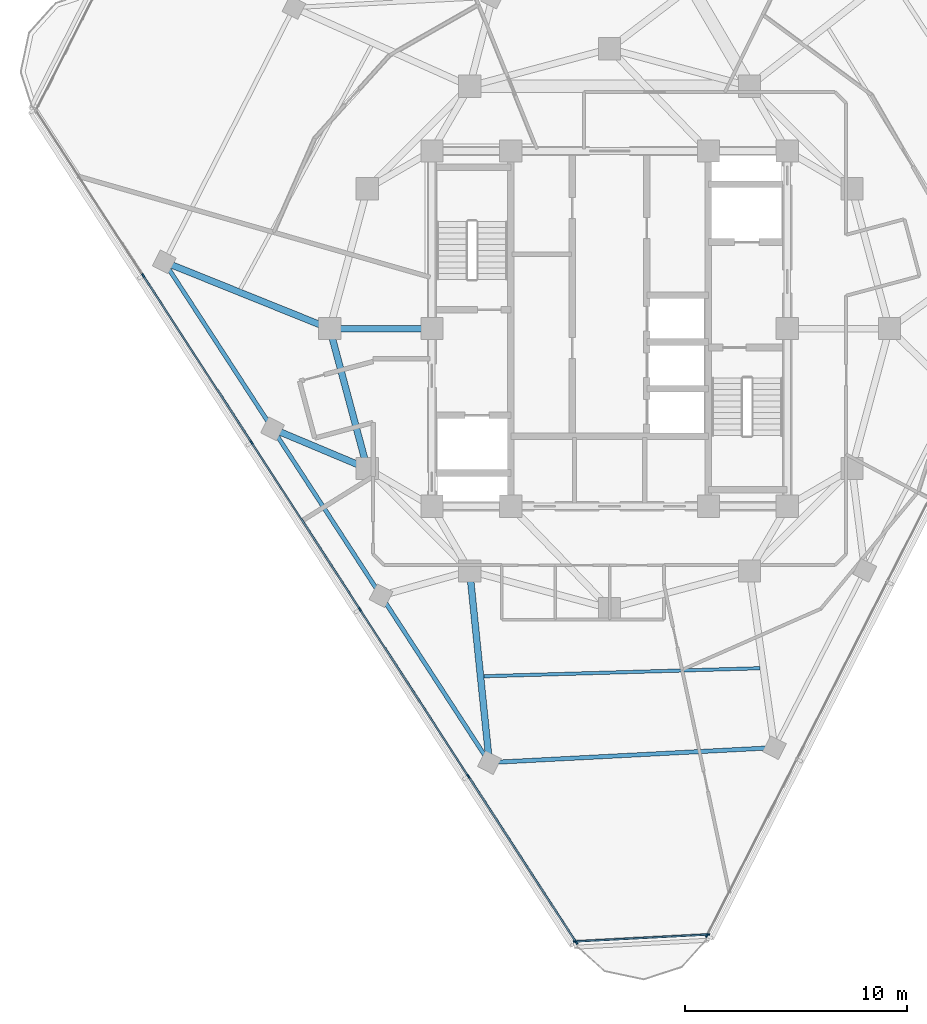
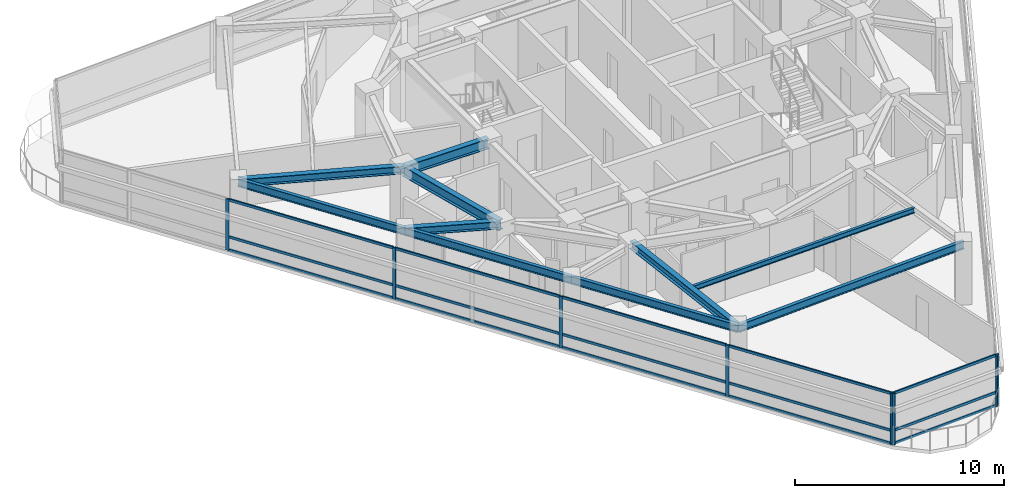
# One storey, part 2 of 15: 23 members, 10 beams, 3 elements without a shape of their own.
"""IFC4 building model written with IfcOpenShell, lengths in metres."""

from ifc_helpers import new_model, si_unit, direction, frame, origin, origin_2d, place, context, subcontext, project, spatial, rectangle, i_section, extrude, material, layer, layer_set, material_profile, profile_set, type_object, element, aggregate, save


model = new_model("IFC4")

# Units and contexts
model_context = context("Model", 3, precision=1e-05, world=origin(), true_north=direction((0.0, 1.0)))
body_context = subcontext(model_context, "Body", "Model", "MODEL_VIEW")
ifc_project = project(units=[si_unit("LENGTHUNIT", "METRE"), si_unit("AREAUNIT", "SQUARE_METRE"), si_unit("VOLUMEUNIT", "CUBIC_METRE"), si_unit("PLANEANGLEUNIT", "RADIAN"), si_unit("MASSUNIT", "GRAM", prefix="KILO")], contexts=[model_context])

# Site, building, storey
site_placement = place(None, origin())
site = spatial("IfcSite", under=ifc_project, at=site_placement, CompositionType="ELEMENT")
building_placement = place(site_placement, origin())
building = spatial("IfcBuilding", under=site, at=building_placement, Name="Terralouvre Media Tower", CompositionType="ELEMENT")
storey_placement = place(building_placement, frame((0.0, 0.0, 267.0)))
storey = spatial("IfcBuildingStorey", under=building, at=storey_placement, Name="L69", CompositionType="ELEMENT", Elevation=267.0)

# Beam
ifc_material_1 = material(Name="Structural steel S355J2", Category="steel")
ifc_material_profile_1 = material_profile(ifc_material_1, i_section(OverallWidth=0.14990234375, OverallDepth=0.300048828125, WebThickness=0.007080078125, FlangeThickness=0.0107421875, at=origin_2d()), Name="IPE 300")
ifc_profile_set_1 = profile_set([ifc_material_profile_1], Name="Structural steel S355J2")
beam_type_1 = type_object("IfcBeamType", Name="Composite Floor Joist J-IPE300 (IPE 300)", PredefinedType="JOIST", material=ifc_profile_set_1)
beam_1_placement = place(storey_placement, frame((-5.662353515625, -15.653564453125, 3.35009765625), z_axis=(0.999577320821, 0.029071974473, 0.0), x_axis=(-0.029071974473, 0.999577320821, 0.0)))
element("IfcBeam", 1, at=beam_1_placement, inside=storey, type_object=beam_type_1, Name="L69 Framing Beam JT-L69-01", PredefinedType="JOIST", context=body_context, shape_type="SweptSolid", body=[
    extrude(i_section(OverallWidth=0.14990234375, OverallDepth=0.300048828125, WebThickness=0.007080078125, FlangeThickness=0.0107421875, at=origin_2d()), origin(), (0.0, 0.0, 1.0), 12.437255859375),
])

# Curtain wall, members
ifc_material_2 = material(Name="Low-iron laminated double glazing with solar-control coating", Category="glass")
ifc_layer_1 = layer(ifc_material_2, 0.1650390625, Name="Upper Executive Tower Curtain Wall CW-05")
ifc_layer_set_1 = layer_set([ifc_layer_1], Name="Low-iron laminated double glazing with solar-control coating")
curtain_wall_type_1 = type_object("IfcCurtainWallType", Name="Upper Executive Tower Curtain Wall CW-05", PredefinedType="NOTDEFINED", material=ifc_layer_set_1)
curtain_wall_1_placement = place(storey_placement, origin())
curtain_wall_1 = element("IfcCurtainWall", 2, at=curtain_wall_1_placement, inside=storey, type_object=curtain_wall_type_1, Name="L69 Facade Curtain Wall F2", PredefinedType="NOTDEFINED")
ifc_material_3 = material(Name="Anodised extruded aluminium 6063-T6", Category="aluminium")
ifc_material_profile_2 = material_profile(ifc_material_3, rectangle(XDim=0.074951171875, YDim=0.14990234375, at=origin_2d()), Name="ALU 75x150")
ifc_profile_set_2 = profile_set([ifc_material_profile_2], Name="Anodised extruded aluminium 6063-T6")
member_type_1 = type_object("IfcMemberType", Name="Curtain-Wall Horizontal Transom TR-150", PredefinedType="USERDEFINED", material=ifc_profile_set_2)
member_1_placement = place(storey_placement, frame((-20.98046875, 2.355712890625, 0.03759765625), z_axis=(0.544647362145, -0.838665160185, 0.0), x_axis=(0.838665160185, 0.544647362145, 0.0)))
member_1 = element("IfcMember", 3, at=member_1_placement, type_object=member_type_1, Name="CW-05 transom 2.1", ObjectType="TRANSOM", PredefinedType="USERDEFINED", context=body_context, shape_type="SweptSolid", body=[
    extrude(rectangle(XDim=0.074951171875, YDim=0.14990234375, at=origin_2d()), origin(), (0.0, 0.0, 1.0), 8.884765625),
])
member_2_placement = place(storey_placement, frame((-20.98046875, 2.355712890625, 0.800048828125), z_axis=(0.544647362145, -0.838665160185, 0.0), x_axis=(0.838665160185, 0.544647362145, 0.0)))
member_2 = element("IfcMember", 4, at=member_2_placement, type_object=member_type_1, Name="CW-05 transom 2.2", ObjectType="TRANSOM", PredefinedType="USERDEFINED", context=body_context, shape_type="SweptSolid", body=[
    extrude(rectangle(XDim=0.074951171875, YDim=0.14990234375, at=origin_2d()), origin(), (0.0, 0.0, 1.0), 8.884765625),
])
member_3_placement = place(storey_placement, frame((-20.98046875, 2.355712890625, 2.96240234375), z_axis=(0.544647362145, -0.838665160185, 0.0), x_axis=(0.838665160185, 0.544647362145, 0.0)))
member_3 = element("IfcMember", 5, at=member_3_placement, type_object=member_type_1, Name="CW-05 transom 2.3", ObjectType="TRANSOM", PredefinedType="USERDEFINED", context=body_context, shape_type="SweptSolid", body=[
    extrude(rectangle(XDim=0.074951171875, YDim=0.14990234375, at=origin_2d()), origin(), (0.0, 0.0, 1.0), 8.884765625),
])
member_4_placement = place(storey_placement, frame((-16.1005859375, -5.15869140625, 0.03759765625), z_axis=(0.544634810925, -0.838673311087, 0.0), x_axis=(0.838673311087, 0.544634810925, 0.0)))
member_4 = element("IfcMember", 6, at=member_4_placement, type_object=member_type_1, Name="CW-05 transom 3.1", ObjectType="TRANSOM", PredefinedType="USERDEFINED", context=body_context, shape_type="SweptSolid", body=[
    extrude(rectangle(XDim=0.074951171875, YDim=0.14990234375, at=origin_2d()), origin(), (0.0, 0.0, 1.0), 8.885009765625),
])
member_5_placement = place(storey_placement, frame((-16.1005859375, -5.15869140625, 0.800048828125), z_axis=(0.544634810925, -0.838673311087, 0.0), x_axis=(0.838673311087, 0.544634810925, 0.0)))
member_5 = element("IfcMember", 7, at=member_5_placement, type_object=member_type_1, Name="CW-05 transom 3.2", ObjectType="TRANSOM", PredefinedType="USERDEFINED", context=body_context, shape_type="SweptSolid", body=[
    extrude(rectangle(XDim=0.074951171875, YDim=0.14990234375, at=origin_2d()), origin(), (0.0, 0.0, 1.0), 8.885009765625),
])
member_6_placement = place(storey_placement, frame((-16.1005859375, -5.15869140625, 2.96240234375), z_axis=(0.544634810925, -0.838673311087, 0.0), x_axis=(0.838673311087, 0.544634810925, 0.0)))
member_6 = element("IfcMember", 8, at=member_6_placement, type_object=member_type_1, Name="CW-05 transom 3.3", ObjectType="TRANSOM", PredefinedType="USERDEFINED", context=body_context, shape_type="SweptSolid", body=[
    extrude(rectangle(XDim=0.074951171875, YDim=0.14990234375, at=origin_2d()), origin(), (0.0, 0.0, 1.0), 8.885009765625),
])
member_7_placement = place(storey_placement, frame((-11.220458984375, -12.673095703125, 0.03759765625), z_axis=(0.544634810925, -0.838673311087, 0.0), x_axis=(0.838673311087, 0.544634810925, 0.0)))
member_7 = element("IfcMember", 9, at=member_7_placement, type_object=member_type_1, Name="CW-05 transom 4.1", ObjectType="TRANSOM", PredefinedType="USERDEFINED", context=body_context, shape_type="SweptSolid", body=[
    extrude(rectangle(XDim=0.074951171875, YDim=0.14990234375, at=origin_2d()), origin(), (0.0, 0.0, 1.0), 8.885009765625),
])
member_8_placement = place(storey_placement, frame((-11.220458984375, -12.673095703125, 0.800048828125), z_axis=(0.544634810925, -0.838673311087, 0.0), x_axis=(0.838673311087, 0.544634810925, 0.0)))
member_8 = element("IfcMember", 10, at=member_8_placement, type_object=member_type_1, Name="CW-05 transom 4.2", ObjectType="TRANSOM", PredefinedType="USERDEFINED", context=body_context, shape_type="SweptSolid", body=[
    extrude(rectangle(XDim=0.074951171875, YDim=0.14990234375, at=origin_2d()), origin(), (0.0, 0.0, 1.0), 8.885009765625),
])
member_9_placement = place(storey_placement, frame((-11.220458984375, -12.673095703125, 2.96240234375), z_axis=(0.544634810925, -0.838673311087, 0.0), x_axis=(0.838673311087, 0.544634810925, 0.0)))
member_9 = element("IfcMember", 11, at=member_9_placement, type_object=member_type_1, Name="CW-05 transom 4.3", ObjectType="TRANSOM", PredefinedType="USERDEFINED", context=body_context, shape_type="SweptSolid", body=[
    extrude(rectangle(XDim=0.074951171875, YDim=0.14990234375, at=origin_2d()), origin(), (0.0, 0.0, 1.0), 8.885009765625),
])
member_10_placement = place(storey_placement, frame((-6.340576171875, -20.187744140625, 0.03759765625), z_axis=(0.544630398361, -0.838676176591, 0.0), x_axis=(0.838676176591, 0.544630398361, 0.0)))
member_10 = element("IfcMember", 12, at=member_10_placement, type_object=member_type_1, Name="CW-05 transom 5.1", ObjectType="TRANSOM", PredefinedType="USERDEFINED", context=body_context, shape_type="SweptSolid", body=[
    extrude(rectangle(XDim=0.074951171875, YDim=0.14990234375, at=origin_2d()), origin(), (0.0, 0.0, 1.0), 8.847412109375),
])
member_11_placement = place(storey_placement, frame((-6.340576171875, -20.187744140625, 0.800048828125), z_axis=(0.544630398361, -0.838676176591, 0.0), x_axis=(0.838676176591, 0.544630398361, 0.0)))
member_11 = element("IfcMember", 13, at=member_11_placement, type_object=member_type_1, Name="CW-05 transom 5.2", ObjectType="TRANSOM", PredefinedType="USERDEFINED", context=body_context, shape_type="SweptSolid", body=[
    extrude(rectangle(XDim=0.074951171875, YDim=0.14990234375, at=origin_2d()), origin(), (0.0, 0.0, 1.0), 8.847412109375),
])
member_12_placement = place(storey_placement, frame((-6.340576171875, -20.187744140625, 2.96240234375), z_axis=(0.544630398361, -0.838676176591, 0.0), x_axis=(0.838676176591, 0.544630398361, 0.0)))
member_12 = element("IfcMember", 14, at=member_12_placement, type_object=member_type_1, Name="CW-05 transom 5.3", ObjectType="TRANSOM", PredefinedType="USERDEFINED", context=body_context, shape_type="SweptSolid", body=[
    extrude(rectangle(XDim=0.074951171875, YDim=0.14990234375, at=origin_2d()), origin(), (0.0, 0.0, 1.0), 8.847412109375),
])

ifc_material_4 = material(Name="Low-iron laminated double glazing with solar-control coating", Category="glass")
ifc_layer_2 = layer(ifc_material_4, 0.1650390625, Name="Rounded Wind-Corner Curved Glazing CW-04")
ifc_layer_set_2 = layer_set([ifc_layer_2], Name="Low-iron laminated double glazing with solar-control coating")
curtain_wall_type_2 = type_object("IfcCurtainWallType", Name="Rounded Wind-Corner Curved Glazing CW-04", PredefinedType="NOTDEFINED", material=ifc_layer_set_2)
curtain_wall_2_placement = place(storey_placement, origin())
curtain_wall_2 = element("IfcCurtainWall", 15, at=curtain_wall_2_placement, inside=storey, type_object=curtain_wall_type_2, Name="L69 Rounded Wind-Corner Curtain Wall C0", PredefinedType="NOTDEFINED")
member_13_placement = place(storey_placement, frame((-1.51416015625, -27.59228515625, 0.03759765625), z_axis=(0.998630348994, 0.052320417325, 0.0), x_axis=(-0.052320417325, 0.998630348994, 0.0)))
member_13 = element("IfcMember", 16, at=member_13_placement, type_object=member_type_1, Name="CW-04 transom 1.1", ObjectType="TRANSOM", PredefinedType="USERDEFINED", context=body_context, shape_type="SweptSolid", body=[
    extrude(rectangle(XDim=0.074951171875, YDim=0.14990234375, at=origin_2d()), origin(), (0.0, 0.0, 1.0), 5.912109375),
])
member_14_placement = place(storey_placement, frame((-1.51416015625, -27.59228515625, 0.800048828125), z_axis=(0.998630348994, 0.052320417325, 0.0), x_axis=(-0.052320417325, 0.998630348994, 0.0)))
member_14 = element("IfcMember", 17, at=member_14_placement, type_object=member_type_1, Name="CW-04 transom 1.2", ObjectType="TRANSOM", PredefinedType="USERDEFINED", context=body_context, shape_type="SweptSolid", body=[
    extrude(rectangle(XDim=0.074951171875, YDim=0.14990234375, at=origin_2d()), origin(), (0.0, 0.0, 1.0), 5.912109375),
])
member_15_placement = place(storey_placement, frame((-1.51416015625, -27.59228515625, 2.96240234375), z_axis=(0.998630348994, 0.052320417325, 0.0), x_axis=(-0.052320417325, 0.998630348994, 0.0)))
member_15 = element("IfcMember", 18, at=member_15_placement, type_object=member_type_1, Name="CW-04 transom 1.3", ObjectType="TRANSOM", PredefinedType="USERDEFINED", context=body_context, shape_type="SweptSolid", body=[
    extrude(rectangle(XDim=0.074951171875, YDim=0.14990234375, at=origin_2d()), origin(), (0.0, 0.0, 1.0), 5.912109375),
])

# Curtain wall, member
curtain_wall_3_placement = place(storey_placement, origin())
curtain_wall_3 = element("IfcCurtainWall", 19, at=curtain_wall_3_placement, inside=storey, type_object=curtain_wall_type_1, Name="L69 Facade Curtain Wall F0", PredefinedType="NOTDEFINED")
ifc_material_5 = material(Name="Anodised extruded aluminium 6063-T6", Category="aluminium")
ifc_material_profile_3 = material_profile(ifc_material_5, rectangle(XDim=0.074951171875, YDim=0.179931640625, at=origin_2d()), Name="ALU 75x180")
ifc_profile_set_3 = profile_set([ifc_material_profile_3], Name="Anodised extruded aluminium 6063-T6")
member_type_2 = type_object("IfcMemberType", Name="Curtain-Wall Vertical Mullion ML-180", PredefinedType="MULLION", material=ifc_profile_set_3)
member_16_placement = place(storey_placement, frame((4.38232421875, -27.330810546875, 0.0), z_axis=(0.0, 0.0, 1.0), x_axis=(-0.891006553308, 0.45399044259, 0.0)))
member_16 = element("IfcMember", 20, at=member_16_placement, type_object=member_type_2, Name="CW-05 mullion 1", PredefinedType="MULLION", context=body_context, shape_type="SweptSolid", body=[
    extrude(rectangle(XDim=0.074951171875, YDim=0.179931640625, at=origin_2d()), origin(), (0.0, 0.0, 1.0), 3.0),
])
aggregate(curtain_wall_3, [member_16])

# Member
member_17_placement = place(storey_placement, frame((-21.0009765625, 2.38720703125, 0.0), z_axis=(0.0, 0.0, 1.0), x_axis=(0.838670545826, 0.544639069077, 0.0)))
member_17 = element("IfcMember", 21, at=member_17_placement, type_object=member_type_2, Name="CW-05 mullion 2", PredefinedType="MULLION", context=body_context, shape_type="SweptSolid", body=[
    extrude(rectangle(XDim=0.074951171875, YDim=0.179931640625, at=origin_2d()), origin(), (0.0, 0.0, 1.0), 3.0),
])

member_18_placement = place(storey_placement, frame((-16.120849609375, -5.127197265625, 0.0), z_axis=(0.0, 0.0, 1.0), x_axis=(0.838670545826, 0.544639069077, 0.0)))
member_18 = element("IfcMember", 22, at=member_18_placement, type_object=member_type_2, Name="CW-05 mullion 3", PredefinedType="MULLION", context=body_context, shape_type="SweptSolid", body=[
    extrude(rectangle(XDim=0.074951171875, YDim=0.179931640625, at=origin_2d()), origin(), (0.0, 0.0, 1.0), 3.0),
])

member_19_placement = place(storey_placement, frame((-11.240966796875, -12.641845703125, 0.0), z_axis=(0.0, 0.0, 1.0), x_axis=(0.838670545826, 0.544639069077, 0.0)))
member_19 = element("IfcMember", 23, at=member_19_placement, type_object=member_type_2, Name="CW-05 mullion 4", PredefinedType="MULLION", context=body_context, shape_type="SweptSolid", body=[
    extrude(rectangle(XDim=0.074951171875, YDim=0.179931640625, at=origin_2d()), origin(), (0.0, 0.0, 1.0), 3.0),
])

member_20_placement = place(storey_placement, frame((-6.361083984375, -20.15625, 0.0), z_axis=(0.0, 0.0, 1.0), x_axis=(0.838670545826, 0.544639069077, 0.0)))
member_20 = element("IfcMember", 24, at=member_20_placement, type_object=member_type_2, Name="CW-05 mullion 5", PredefinedType="MULLION", context=body_context, shape_type="SweptSolid", body=[
    extrude(rectangle(XDim=0.074951171875, YDim=0.179931640625, at=origin_2d()), origin(), (0.0, 0.0, 1.0), 3.0),
])

member_21_placement = place(storey_placement, frame((-1.50146484375, -27.63916015625, 0.0), z_axis=(0.0, 0.0, 1.0), x_axis=(0.838670545826, 0.544639069077, 0.0)))
member_21 = element("IfcMember", 25, at=member_21_placement, type_object=member_type_2, Name="CW-05 mullion 6", PredefinedType="MULLION", context=body_context, shape_type="SweptSolid", body=[
    extrude(rectangle(XDim=0.074951171875, YDim=0.179931640625, at=origin_2d()), origin(), (0.0, 0.0, 1.0), 3.0),
])

aggregate(curtain_wall_1, [member_17, member_18, member_19, member_20, member_21, member_1, member_2, member_3, member_4, member_5, member_6, member_7, member_8, member_9, member_10, member_11, member_12])

member_22_placement = place(storey_placement, frame((-1.551513671875, -27.59423828125, 0.0), z_axis=(0.0, 0.0, 1.0), x_axis=(-0.05233597552, 0.998629533744, 0.0)))
member_22 = element("IfcMember", 26, at=member_22_placement, type_object=member_type_2, Name="CW-04 mullion 1", PredefinedType="MULLION", context=body_context, shape_type="SweptSolid", body=[
    extrude(rectangle(XDim=0.074951171875, YDim=0.179931640625, at=origin_2d()), origin(), (0.0, 0.0, 1.0), 3.0),
])

member_23_placement = place(storey_placement, frame((4.427490234375, -27.281005859375, 0.0), z_axis=(0.0, 0.0, 1.0), x_axis=(-0.05233597552, 0.998629533744, 0.0)))
member_23 = element("IfcMember", 27, at=member_23_placement, type_object=member_type_2, Name="CW-04 mullion 2", PredefinedType="MULLION", context=body_context, shape_type="SweptSolid", body=[
    extrude(rectangle(XDim=0.074951171875, YDim=0.179931640625, at=origin_2d()), origin(), (0.0, 0.0, 1.0), 3.0),
])

aggregate(curtain_wall_2, [member_22, member_23, member_13, member_14, member_15])

# Beams
ifc_material_6 = material(Name="Structural steel S355J2", Category="steel")
ifc_material_profile_4 = material_profile(ifc_material_6, i_section(OverallWidth=0.18994140625, OverallDepth=0.449951171875, WebThickness=0.009521484375, FlangeThickness=0.0146484375, at=origin_2d()), Name="IPE 450")
ifc_profile_set_4 = profile_set([ifc_material_profile_4], Name="Structural steel S355J2")
beam_type_2 = type_object("IfcBeamType", Name="Perimeter Spandrel Beam SPB-450 (IPE 450)", PredefinedType="SPANDREL", material=ifc_profile_set_4)
beam_2_placement = place(storey_placement, frame((-15.17333984375, -4.51171875, 3.27490234375), z_axis=(0.544643524961, -0.838667652123, 0.0), x_axis=(0.838667652123, 0.544643524961, 0.0)))
element("IfcBeam", 28, at=beam_2_placement, inside=storey, type_object=beam_type_2, Name="L69 Framing Beam BM-L69-PR01", PredefinedType="SPANDREL", context=body_context, shape_type="SweptSolid", body=[
    extrude(i_section(OverallWidth=0.18994140625, OverallDepth=0.449951171875, WebThickness=0.009521484375, FlangeThickness=0.0146484375, at=origin_2d()), origin(), (0.0, 0.0, 1.0), 8.960205078125),
])
beam_3_placement = place(storey_placement, frame((-10.293212890625, -12.0263671875, 3.27490234375), z_axis=(0.544636805853, -0.838672015576, 0.0), x_axis=(0.838672015576, 0.544636805853, 0.0)))
element("IfcBeam", 29, at=beam_3_placement, inside=storey, type_object=beam_type_2, Name="L69 Framing Beam BM-L69-PR02", PredefinedType="SPANDREL", context=body_context, shape_type="SweptSolid", body=[
    extrude(i_section(OverallWidth=0.18994140625, OverallDepth=0.449951171875, WebThickness=0.009521484375, FlangeThickness=0.0146484375, at=origin_2d()), origin(), (0.0, 0.0, 1.0), 8.9599609375),
])
beam_4_placement = place(storey_placement, frame((-5.413330078125, -19.540771484375, 3.27490234375), z_axis=(0.998629710924, 0.052332594613, 0.0), x_axis=(-0.052332594613, 0.998629710924, 0.0)))
element("IfcBeam", 30, at=beam_4_placement, inside=storey, type_object=beam_type_2, Name="L69 Framing Beam BM-L69-PR03", PredefinedType="SPANDREL", context=body_context, shape_type="SweptSolid", body=[
    extrude(i_section(OverallWidth=0.18994140625, OverallDepth=0.449951171875, WebThickness=0.009521484375, FlangeThickness=0.0146484375, at=origin_2d()), origin(), (0.0, 0.0, 1.0), 12.857177734375),
])
beam_5_placement = place(storey_placement, frame((-20.05322265625, 3.002685546875, 3.27490234375), z_axis=(0.544636805853, -0.838672015576, 0.0), x_axis=(0.838672015576, 0.544636805853, 0.0)))
element("IfcBeam", 31, at=beam_5_placement, inside=storey, type_object=beam_type_2, Name="L69 Framing Beam BM-L69-PR12", PredefinedType="SPANDREL", context=body_context, shape_type="SweptSolid", body=[
    extrude(i_section(OverallWidth=0.18994140625, OverallDepth=0.449951171875, WebThickness=0.009521484375, FlangeThickness=0.0146484375, at=origin_2d()), origin(), (0.0, 0.0, 1.0), 8.9599609375),
])
ifc_material_7 = material(Name="Structural steel S355J2", Category="steel")
ifc_material_profile_5 = material_profile(ifc_material_7, i_section(OverallWidth=0.300048828125, OverallDepth=0.449951171875, WebThickness=0.013916015625, FlangeThickness=0.02587890625, at=origin_2d()), Name="HEB 450")
ifc_profile_set_5 = profile_set([ifc_material_profile_5], Name="Structural steel S355J2")
beam_type_3 = type_object("IfcBeamType", Name="Primary Floor Girder B-HEB450 (HEB 450)", PredefinedType="BEAM", material=ifc_profile_set_5)
beam_6_placement = place(storey_placement, frame((-10.911865234375, -6.300048828125, 3.27490234375), z_axis=(-0.922097113404, 0.386958542291, 0.0), x_axis=(-0.386958542291, -0.922097113404, 0.0)))
element("IfcBeam", 32, at=beam_6_placement, inside=storey, type_object=beam_type_3, Name="L69 Framing Beam BM-L69-RD01", PredefinedType="BEAM", context=body_context, shape_type="SweptSolid", body=[
    extrude(i_section(OverallWidth=0.300048828125, OverallDepth=0.449951171875, WebThickness=0.013916015625, FlangeThickness=0.02587890625, at=origin_2d()), origin(), (0.0, 0.0, 1.0), 4.62158203125),
])
beam_7_placement = place(storey_placement, frame((-6.300048828125, -10.911865234375, 3.27490234375), z_axis=(0.102223114396, -0.994761496482, 0.0), x_axis=(0.994761496482, 0.102223114396, 0.0)))
element("IfcBeam", 33, at=beam_7_placement, inside=storey, type_object=beam_type_3, Name="L69 Framing Beam BM-L69-RD03", PredefinedType="BEAM", context=body_context, shape_type="SweptSolid", body=[
    extrude(i_section(OverallWidth=0.300048828125, OverallDepth=0.449951171875, WebThickness=0.013916015625, FlangeThickness=0.02587890625, at=origin_2d()), origin(), (0.0, 0.0, 1.0), 8.67431640625),
])
beam_8_placement = place(storey_placement, frame((-12.60009765625, 0.0, 3.27490234375), z_axis=(-0.927553949727, 0.373689269775, 0.0), x_axis=(-0.373689269775, -0.927553949727, 0.0)))
element("IfcBeam", 34, at=beam_8_placement, inside=storey, type_object=beam_type_3, Name="L69 Framing Beam BM-L69-RD12", PredefinedType="BEAM", context=body_context, shape_type="SweptSolid", body=[
    extrude(i_section(OverallWidth=0.300048828125, OverallDepth=0.449951171875, WebThickness=0.013916015625, FlangeThickness=0.02587890625, at=origin_2d()), origin(), (0.0, 0.0, 1.0), 8.03515625),
])
ifc_material_8 = material(Name="Structural steel S460M", Category="steel")
ifc_material_profile_6 = material_profile(ifc_material_8, i_section(OverallWidth=0.300048828125, OverallDepth=0.60009765625, WebThickness=0.015380859375, FlangeThickness=0.030029296875, at=origin_2d()), Name="HEB 600")
ifc_profile_set_6 = profile_set([ifc_material_profile_6], Name="Structural steel S460M")
beam_type_4 = type_object("IfcBeamType", Name="Primary Floor Girder B-HEB600 (HEB 600)", PredefinedType="BEAM", material=ifc_profile_set_6)
beam_9_placement = place(storey_placement, frame((-12.60009765625, 0.0, 3.199951171875), z_axis=(0.258838989821, -0.965920481897, 0.0), x_axis=(0.965920481897, 0.258838989821, 0.0)))
element("IfcBeam", 35, at=beam_9_placement, inside=storey, type_object=beam_type_4, Name="L69 Framing Beam BM-L69-MR12", PredefinedType="BEAM", context=body_context, shape_type="SweptSolid", body=[
    extrude(i_section(OverallWidth=0.300048828125, OverallDepth=0.60009765625, WebThickness=0.015380859375, FlangeThickness=0.030029296875, at=origin_2d()), origin(), (0.0, 0.0, 1.0), 6.522216796875),
])
beam_10_placement = place(storey_placement, frame((-8.0, 0.0, 3.199951171875), z_axis=(-1.0, 0.0, 0.0), x_axis=(0.0, -1.0, 0.0)))
element("IfcBeam", 36, at=beam_10_placement, inside=storey, type_object=beam_type_4, Name="L69 Framing Beam BM-L69-CM12", PredefinedType="BEAM", context=body_context, shape_type="SweptSolid", body=[
    extrude(i_section(OverallWidth=0.300048828125, OverallDepth=0.60009765625, WebThickness=0.015380859375, FlangeThickness=0.030029296875, at=origin_2d()), origin(), (0.0, 0.0, 1.0), 4.60009765625),
])

save(model, "model.ifc")
